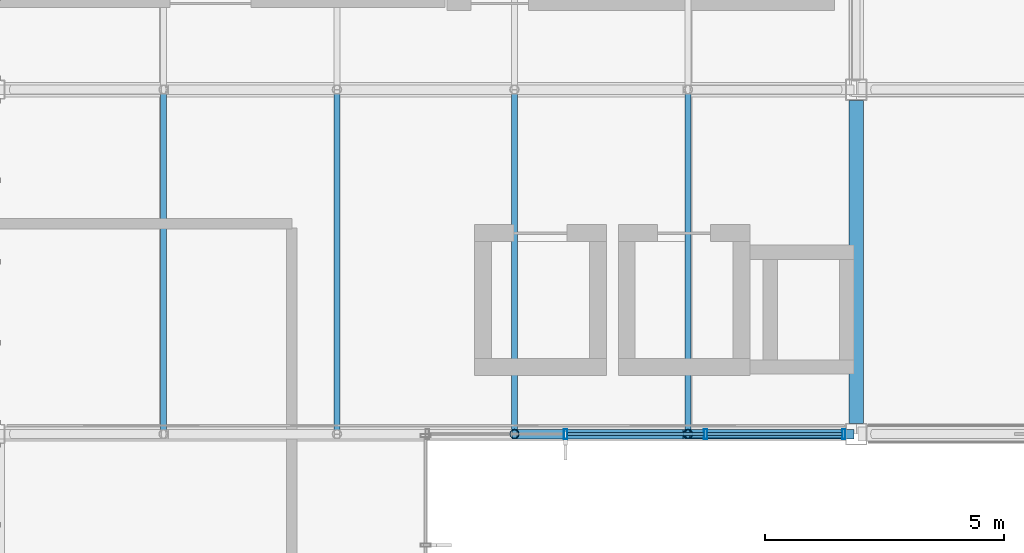
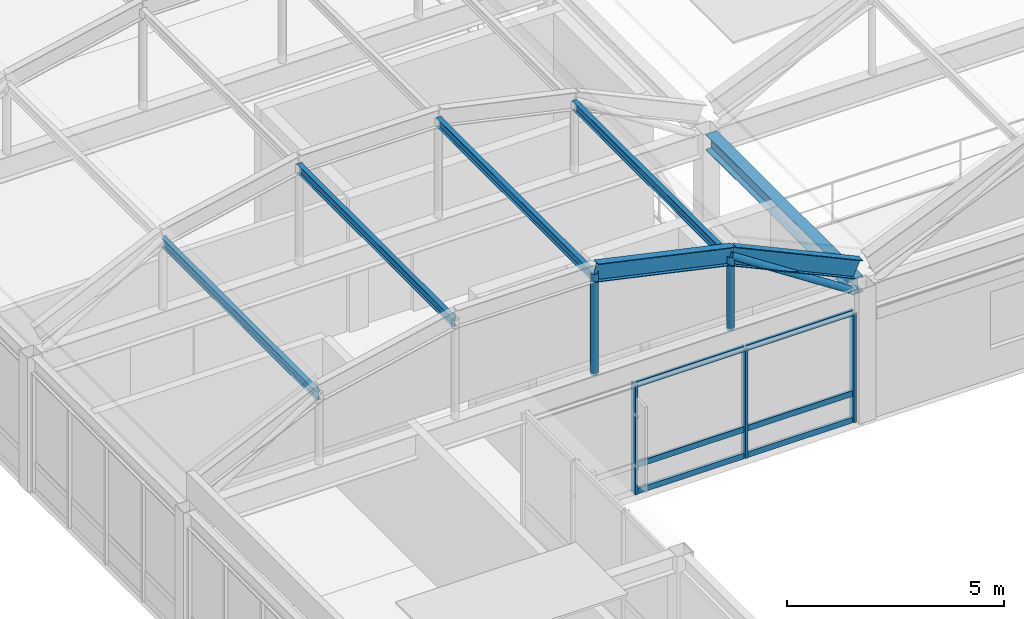
# One storey, part 22 of 106: 18 members, 1 beam, 1 element without a shape of its own.
"""IFC4 building model written with IfcOpenShell, lengths in metres."""

from ifc_helpers import new_model, si_unit, direction, frame, origin, origin_2d, place, context, subcontext, project, spatial, hollow_rectangle, hollow_circle, i_section, extrude, material, material_profile, profile_set, type_object, element, aggregate, save


model = new_model("IFC4")

# Units and contexts
model_context = context("Model", 3, precision=1e-05, world=origin(), true_north=direction((0.0, 1.0)))
body_context = subcontext(model_context, "Body", "Model", "MODEL_VIEW")
ifc_project = project(units=[si_unit("LENGTHUNIT", "METRE"), si_unit("AREAUNIT", "SQUARE_METRE"), si_unit("VOLUMEUNIT", "CUBIC_METRE"), si_unit("PLANEANGLEUNIT", "RADIAN"), si_unit("MASSUNIT", "GRAM", prefix="KILO")], contexts=[model_context])

# Site, building, storey
site_placement = place(None, origin())
site = spatial("IfcSite", under=ifc_project, at=site_placement, CompositionType="ELEMENT")
building_placement = place(site_placement, origin())
building = spatial("IfcBuilding", under=site, at=building_placement, Name="Kazanami Central Library", CompositionType="ELEMENT")
storey_placement = place(building_placement, frame((0.0, 0.0, 12.800048828125)))
storey = spatial("IfcBuildingStorey", under=building, at=storey_placement, Name="L04", CompositionType="ELEMENT", Elevation=12.800048828125)

# Beam
ifc_material_1 = material(Name="Steel SN490B (325 MPa)", Category="steel")
ifc_material_profile_1 = material_profile(ifc_material_1, i_section(OverallWidth=0.300048828125, OverallDepth=0.43994140625, WebThickness=0.010986328125, FlangeThickness=0.01806640625, at=origin_2d()), Name="H-440x300x11x18")
ifc_profile_set_1 = profile_set([ifc_material_profile_1], Name="Steel SN490B (325 MPa)")
beam_type = type_object("IfcBeamType", Name="BM-G-Y4", PredefinedType="BEAM", material=ifc_profile_set_1)
beam_placement = place(storey_placement, frame((63.0, 65.02294921875, 3.56005859375), z_axis=(0.0, 1.0, 0.0), x_axis=(-1.0, 0.0, 0.0)))
element("IfcBeam", 1, at=beam_placement, inside=storey, type_object=beam_type, Name="Girder G-Y4 L04 8/K-L", PredefinedType="BEAM", context=body_context, shape_type="SweptSolid", body=[
    extrude(i_section(OverallWidth=0.300048828125, OverallDepth=0.43994140625, WebThickness=0.010986328125, FlangeThickness=0.01806640625, at=origin_2d()), origin(), (0.0, 0.0, 1.0), 6.754150390625),
])

# Members
ifc_material_profile_2 = material_profile(ifc_material_1, i_section(OverallWidth=0.199951171875, OverallDepth=0.5, WebThickness=0.010009765625, FlangeThickness=0.01611328125, at=origin_2d()), Name="H-500x200x10x16")
ifc_profile_set_2 = profile_set([ifc_material_profile_2], Name="Steel SN490B (325 MPa)")
member_type_1 = type_object("IfcMemberType", Name="MEM-AR-02", PredefinedType="CHORD", material=ifc_profile_set_2)
for number, where, z_axis, x_axis, name in (
    (2, (55.85546875, 64.800048828125, 6.604736328125), (0.976745687277, 0.0, -0.214401171606), (0.0, 1.0, 0.0), "Barrel Vault Arch Rib AR-02 VAULT-WEST Grid K Seg 4"),
    (3, (59.480224609375, 64.800048828125, 5.80908203125), (0.908074880538, 0.0, -0.41880784536), (0.0, 1.0, 0.0), "Barrel Vault Arch Rib AR-02 VAULT-WEST Grid K Seg 5"),
):
    element("IfcMember", number, at=place(storey_placement, frame(where, z_axis=z_axis, x_axis=x_axis)), inside=storey, type_object=member_type_1, Name=name, PredefinedType="CHORD", context=body_context, shape_type="SweptSolid", body=[
        extrude(i_section(OverallWidth=0.199951171875, OverallDepth=0.5, WebThickness=0.010009765625, FlangeThickness=0.01611328125, at=origin_2d()), origin(), (0.0, 0.0, 1.0), 3.7109375),
    ])

# Curtain wall, members
ifc_material_2 = material(Name="Acid-Etched Low-E Laminated Glass", Category="glass")
curtain_wall_type = type_object("IfcCurtainWallType", Name="CW-8775x3080-M275", PredefinedType="USERDEFINED", material=ifc_material_2)
curtain_wall_placement = place(storey_placement, origin())
curtain_wall = element("IfcCurtainWall", 4, at=curtain_wall_placement, inside=storey, type_object=curtain_wall_type, Name="Unitised Curtain Wall CW-40 L04 S-K-06", ObjectType="UNITISED CURTAIN WALL", PredefinedType="USERDEFINED")
ifc_material_3 = material(Name="Anodised Aluminium A6063-T5", Category="aluminium")
ifc_material_profile_3 = material_profile(ifc_material_3, hollow_rectangle(XDim=0.070068359375, YDim=0.2099609375, WallThickness=0.0048828125, at=origin_2d()), Name="ALU-MULL-70x210x5")
ifc_profile_set_3 = profile_set([ifc_material_profile_3], Name="Anodised Aluminium A6063-T5")
member_type_2 = type_object("IfcMemberType", Name="MEM-CW-M1", PredefinedType="MULLION", material=ifc_profile_set_3)
member_1_placement = place(storey_placement, frame((56.925048828125, 64.800048828125, 0.0), z_axis=(0.0, 0.0, 1.0), x_axis=(1.0, 0.0, 0.0)))
member_1 = element("IfcMember", 5, at=member_1_placement, type_object=member_type_2, Name="CW-40 mullion 2", PredefinedType="MULLION", context=body_context, shape_type="SweptSolid", body=[
    extrude(hollow_rectangle(XDim=0.070068359375, YDim=0.2099609375, WallThickness=0.0048828125, at=origin_2d()), origin(), (0.0, 0.0, 1.0), 3.079833984375),
])
member_2_placement = place(storey_placement, frame((59.85009765625, 64.800048828125, 0.0), z_axis=(0.0, 0.0, 1.0), x_axis=(1.0, 0.0, 0.0)))
member_2 = element("IfcMember", 6, at=member_2_placement, type_object=member_type_2, Name="CW-40 mullion 3", PredefinedType="MULLION", context=body_context, shape_type="SweptSolid", body=[
    extrude(hollow_rectangle(XDim=0.070068359375, YDim=0.2099609375, WallThickness=0.0048828125, at=origin_2d()), origin(), (0.0, 0.0, 1.0), 3.079833984375),
])
member_3_placement = place(storey_placement, frame((62.739990234375, 64.800048828125, 0.0), z_axis=(0.0, 0.0, 1.0), x_axis=(1.0, 0.0, 0.0)))
member_3 = element("IfcMember", 7, at=member_3_placement, type_object=member_type_2, Name="CW-40 mullion 4", PredefinedType="MULLION", context=body_context, shape_type="SweptSolid", body=[
    extrude(hollow_rectangle(XDim=0.070068359375, YDim=0.2099609375, WallThickness=0.0048828125, at=origin_2d()), origin(), (0.0, 0.0, 1.0), 3.079833984375),
])
ifc_material_profile_4 = material_profile(ifc_material_3, hollow_rectangle(XDim=0.070068359375, YDim=0.159912109375, WallThickness=0.00390625, at=origin_2d()), Name="ALU-TRAN-70x160x4")
ifc_profile_set_4 = profile_set([ifc_material_profile_4], Name="Anodised Aluminium A6063-T5")
member_type_3 = type_object("IfcMemberType", Name="MEM-CW-T1", PredefinedType="USERDEFINED", material=ifc_profile_set_4)
member_4_placement = place(storey_placement, frame((56.9599609375, 64.800048828125, 0.034912109375), z_axis=(1.0, 0.0, 0.0), x_axis=(0.0, 1.0, 0.0)))
member_4 = element("IfcMember", 8, at=member_4_placement, type_object=member_type_3, Name="CW-40 transom 2.1", ObjectType="TRANSOM", PredefinedType="USERDEFINED", context=body_context, shape_type="SweptSolid", body=[
    extrude(hollow_rectangle(XDim=0.070068359375, YDim=0.159912109375, WallThickness=0.00390625, at=origin_2d()), origin(), (0.0, 0.0, 1.0), 2.85498046875),
])
member_5_placement = place(storey_placement, frame((56.9599609375, 64.800048828125, 0.780029296875), z_axis=(1.0, 0.0, 0.0), x_axis=(0.0, 1.0, 0.0)))
member_5 = element("IfcMember", 9, at=member_5_placement, type_object=member_type_3, Name="CW-40 transom 2.2", ObjectType="TRANSOM", PredefinedType="USERDEFINED", context=body_context, shape_type="SweptSolid", body=[
    extrude(hollow_rectangle(XDim=0.070068359375, YDim=0.159912109375, WallThickness=0.00390625, at=origin_2d()), origin(), (0.0, 0.0, 1.0), 2.85498046875),
])
member_6_placement = place(storey_placement, frame((56.9599609375, 64.800048828125, 3.044921875), z_axis=(1.0, 0.0, 0.0), x_axis=(0.0, 1.0, 0.0)))
member_6 = element("IfcMember", 10, at=member_6_placement, type_object=member_type_3, Name="CW-40 transom 2.3", ObjectType="TRANSOM", PredefinedType="USERDEFINED", context=body_context, shape_type="SweptSolid", body=[
    extrude(hollow_rectangle(XDim=0.070068359375, YDim=0.159912109375, WallThickness=0.00390625, at=origin_2d()), origin(), (0.0, 0.0, 1.0), 2.85498046875),
])
member_7_placement = place(storey_placement, frame((59.885009765625, 64.800048828125, 0.034912109375), z_axis=(1.0, 0.0, 0.0), x_axis=(0.0, 1.0, 0.0)))
member_7 = element("IfcMember", 11, at=member_7_placement, type_object=member_type_3, Name="CW-40 transom 3.1", ObjectType="TRANSOM", PredefinedType="USERDEFINED", context=body_context, shape_type="SweptSolid", body=[
    extrude(hollow_rectangle(XDim=0.070068359375, YDim=0.159912109375, WallThickness=0.00390625, at=origin_2d()), origin(), (0.0, 0.0, 1.0), 2.820068359375),
])
member_8_placement = place(storey_placement, frame((59.885009765625, 64.800048828125, 0.780029296875), z_axis=(1.0, 0.0, 0.0), x_axis=(0.0, 1.0, 0.0)))
member_8 = element("IfcMember", 12, at=member_8_placement, type_object=member_type_3, Name="CW-40 transom 3.2", ObjectType="TRANSOM", PredefinedType="USERDEFINED", context=body_context, shape_type="SweptSolid", body=[
    extrude(hollow_rectangle(XDim=0.070068359375, YDim=0.159912109375, WallThickness=0.00390625, at=origin_2d()), origin(), (0.0, 0.0, 1.0), 2.820068359375),
])
member_9_placement = place(storey_placement, frame((59.885009765625, 64.800048828125, 3.044921875), z_axis=(1.0, 0.0, 0.0), x_axis=(0.0, 1.0, 0.0)))
member_9 = element("IfcMember", 13, at=member_9_placement, type_object=member_type_3, Name="CW-40 transom 3.3", ObjectType="TRANSOM", PredefinedType="USERDEFINED", context=body_context, shape_type="SweptSolid", body=[
    extrude(hollow_rectangle(XDim=0.070068359375, YDim=0.159912109375, WallThickness=0.00390625, at=origin_2d()), origin(), (0.0, 0.0, 1.0), 2.820068359375),
])
aggregate(curtain_wall, [member_1, member_2, member_3, member_4, member_5, member_6, member_7, member_8, member_9])

# Members
ifc_material_4 = material(Name="Steel SN400B (235 MPa)", Category="steel")
ifc_material_profile_5 = material_profile(ifc_material_4, i_section(OverallWidth=0.125, OverallDepth=0.25, WebThickness=0.006103515625, FlangeThickness=0.009033203125, at=origin_2d()), Name="H-250x125x6x9")
ifc_profile_set_5 = profile_set([ifc_material_profile_5], Name="Steel SN400B (235 MPa)")
member_type_4 = type_object("IfcMemberType", Name="MEM-PUR-250", PredefinedType="PURLIN", material=ifc_profile_set_5)
for number, where, z_axis, x_axis, name in (
    (14, (48.519775390625, 64.804931640625, 5.669189453125), (0.0, 1.0, 0.0), (-1.0, 0.0, 0.0), "Barrel Vault Longitudinal Purlin VAULT-WEST Knuckle 1.1"),
    (15, (52.14453125, 64.804931640625, 6.464599609375), (0.0, 1.0, 0.0), (-1.0, 0.0, 0.0), "Barrel Vault Longitudinal Purlin VAULT-WEST Knuckle 2.1"),
    (16, (55.85546875, 64.804931640625, 6.464599609375), (0.0, 1.0, 0.0), (-1.0, 0.0, 0.0), "Barrel Vault Longitudinal Purlin VAULT-WEST Knuckle 3.1"),
    (17, (59.480224609375, 64.804931640625, 5.669189453125), (0.0, 1.0, 0.0), (-1.0, 0.0, 0.0), "Barrel Vault Longitudinal Purlin VAULT-WEST Knuckle 4.1"),
):
    element("IfcMember", number, at=place(storey_placement, frame(where, z_axis=z_axis, x_axis=x_axis)), inside=storey, type_object=member_type_4, Name=name, PredefinedType="PURLIN", context=body_context, shape_type="SweptSolid", body=[
        extrude(i_section(OverallWidth=0.125, OverallDepth=0.25, WebThickness=0.006103515625, FlangeThickness=0.009033203125, at=origin_2d()), origin(), (0.0, 0.0, 1.0), 7.190185546875),
    ])
ifc_material_5 = material(Name="Steel STK490 (315 MPa)", Category="steel")
ifc_material_profile_6 = material_profile(ifc_material_5, hollow_circle(Radius=0.095458984375, WallThickness=0.007080078125, at=origin_2d()), Name="CHS-190.7x7.0")
ifc_profile_set_6 = profile_set([ifc_material_profile_6], Name="Steel STK490 (315 MPa)")
member_type_5 = type_object("IfcMemberType", Name="MEM-VST-190", PredefinedType="STRUT", material=ifc_profile_set_6)
member_10_placement = place(storey_placement, frame((55.85546875, 64.800048828125, 3.71484375), z_axis=(0.0, 0.0, 1.0), x_axis=(1.0, 0.0, 0.0)))
element("IfcMember", 18, at=member_10_placement, inside=storey, type_object=member_type_5, Name="Barrel Vault Tied-Arch Web Strut VAULT-WEST Grid K Knuckle 3", PredefinedType="STRUT", context=body_context, shape_type="SweptSolid", body=[
    extrude(hollow_circle(Radius=0.095458984375, WallThickness=0.007080078125, at=origin_2d()), origin(), (0.0, 0.0, 1.0), 2.869873046875),
])
member_11_placement = place(storey_placement, frame((59.480224609375, 64.800048828125, 3.71484375), z_axis=(0.0, 0.0, 1.0), x_axis=(1.0, 0.0, 0.0)))
element("IfcMember", 19, at=member_11_placement, inside=storey, type_object=member_type_5, Name="Barrel Vault Tied-Arch Web Strut VAULT-WEST Grid K Knuckle 4", PredefinedType="STRUT", context=body_context, shape_type="SweptSolid", body=[
    extrude(hollow_circle(Radius=0.095458984375, WallThickness=0.007080078125, at=origin_2d()), origin(), (0.0, 0.0, 1.0), 2.07421875),
])
member_12_placement = place(storey_placement, frame((62.64990234375, 64.800048828125, 3.71484375), z_axis=(-0.836759504137, 0.0, 0.547570572837), x_axis=(0.0, -1.0, 0.0)))
element("IfcMember", 20, at=member_12_placement, inside=storey, type_object=member_type_5, Name="Barrel Vault Tied-Arch Diagonal VAULT-WEST Grid K (R)", PredefinedType="BRACE", context=body_context, shape_type="SweptSolid", body=[
    extrude(hollow_circle(Radius=0.095458984375, WallThickness=0.007080078125, at=origin_2d()), origin(), (0.0, 0.0, 1.0), 3.7880859375),
])

save(model, "model.ifc")
